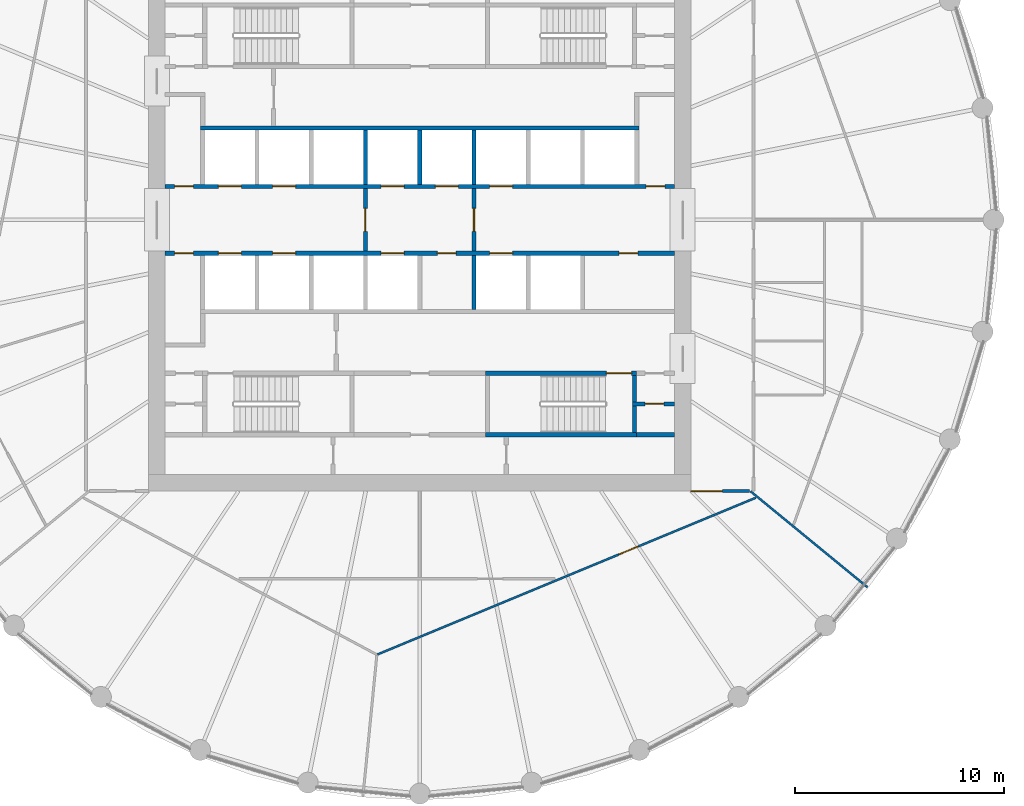
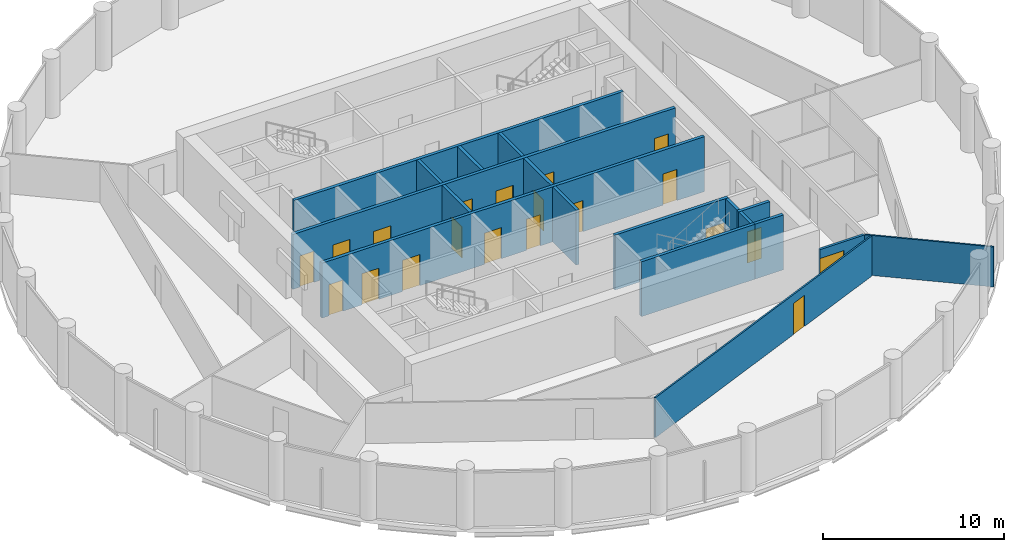
# One storey, part 5 of 8: 20 doors, 18 walls, 20 openings.
"""IFC4 building model written with IfcOpenShell, lengths in metres."""

from ifc_helpers import new_model, si_unit, direction, frame, frame_2d, origin, place, context, subcontext, project, spatial, polyline, rectangle, outline, extrude, material, layer, layer_set, type_object, element, fill, save


model = new_model("IFC4")

# Units and contexts
model_context = context("Model", 3, precision=1e-05, world=origin(), true_north=direction((0.0, 1.0)))
body_context = subcontext(model_context, "Body", "Model", "MODEL_VIEW")
ifc_project = project(units=[si_unit("LENGTHUNIT", "METRE"), si_unit("AREAUNIT", "SQUARE_METRE"), si_unit("VOLUMEUNIT", "CUBIC_METRE"), si_unit("PLANEANGLEUNIT", "RADIAN"), si_unit("MASSUNIT", "GRAM", prefix="KILO")], contexts=[model_context])

# Site, building, storey
site_placement = place(None, origin())
site = spatial("IfcSite", under=ifc_project, at=site_placement, CompositionType="ELEMENT")
building_placement = place(site_placement, origin())
building = spatial("IfcBuilding", under=site, at=building_placement, Name="Corvane Civic Tower", CompositionType="ELEMENT")
storey_placement = place(building_placement, frame((0.0, 0.0, 205.5)))
storey = spatial("IfcBuildingStorey", under=building, at=storey_placement, Name="L48", CompositionType="ELEMENT", Elevation=205.5)

# Wall, opening, door
ifc_material_1 = material(Name="Concrete C30/37", Category="concrete")
ifc_layer_1 = layer(ifc_material_1, 0.199951171875)
ifc_layer_set_1 = layer_set([ifc_layer_1], Name="Concrete C30/37")
wall_type_1 = type_object("IfcWallType", Name="CR-WALL-200", PredefinedType="PARTITIONING", material=ifc_layer_set_1)
wall_1_placement = place(storey_placement, frame((10.199951171875, -8.824951171875, 0.0), z_axis=(0.0, 0.0, 1.0), x_axis=(1.0, 0.0, 0.0)))
wall_1 = element("IfcWall", 1, at=wall_1_placement, inside=storey, type_object=wall_type_1, Name="L48 partition wall", PredefinedType="PARTITIONING", context=body_context, shape_type="SweptSolid", body=[
    extrude(rectangle(XDim=2.0, YDim=0.199951171875, at=frame_2d((1.0, 0.0))), origin(), (0.0, 0.0, 1.0), 3.699951171875),
])
opening_1_placement = place(wall_1_placement, frame((0.60009765625, 0.0, 0.0)))
opening_1 = element("IfcOpeningElement", 2, at=opening_1_placement, cuts=wall_1, Name="Opening L48.C21", PredefinedType="OPENING", context=body_context, shape_type="SweptSolid", body=[
    extrude(rectangle(XDim=0.89990234375, YDim=2.10009765625, at=frame_2d((0.449951171875, 1.050048828125))), frame((0.0, 0.10986328125, 0.0), z_axis=(0.0, -1.0, 0.0), x_axis=(1.0, 0.0, 0.0)), (0.0, 0.0, 1.0), 0.219970703125),
])
ifc_material_2 = material(Name="Steel fire door leaf", Category="steel")
door_type_1 = type_object("IfcDoorType", Name="CR-DOOR-900", OperationType="SINGLE_SWING_LEFT", PredefinedType="DOOR", material=ifc_material_2)
door_1_placement = place(opening_1_placement, origin())
door_1 = element("IfcDoor", 3, at=door_1_placement, inside=storey, type_object=door_type_1, Name="L48 door", OperationType="SINGLE_SWING_LEFT", OverallHeight=2.10009765625, OverallWidth=0.89990234375, PredefinedType="DOOR", context=body_context, shape_type="SweptSolid", body=[
    extrude(rectangle(XDim=0.89990234375, YDim=2.10009765625, at=frame_2d((0.449951171875, 1.050048828125))), frame((0.0, 0.02490234375, 0.0), z_axis=(0.0, -1.0, 0.0), x_axis=(1.0, 0.0, 0.0)), (0.0, 0.0, 1.0), 0.050048828125),
])
fill(opening_1, door_1)

# Wall, openings, doors
wall_2_placement = place(storey_placement, frame((-12.199951171875, -1.60009765625, 0.0), z_axis=(0.0, 0.0, 1.0), x_axis=(1.0, 0.0, 0.0)))
wall_2 = element("IfcWall", 4, at=wall_2_placement, inside=storey, type_object=wall_type_1, Name="L48 lift shaft wall", PredefinedType="PARTITIONING", context=body_context, shape_type="SweptSolid", body=[
    extrude(rectangle(XDim=24.39990234375, YDim=0.199951171875, at=frame_2d((12.199951171875, 0.0))), origin(), (0.0, 0.0, 1.0), 3.699951171875),
])
opening_2_placement = place(wall_2_placement, frame((2.550048828125, 0.0, 0.0)))
opening_2 = element("IfcOpeningElement", 5, at=opening_2_placement, cuts=wall_2, Name="Opening LD", PredefinedType="OPENING", context=body_context, shape_type="SweptSolid", body=[
    extrude(rectangle(XDim=1.10009765625, YDim=2.10009765625, at=frame_2d((0.550048828125, 1.050048828125))), frame((0.0, 0.10986328125, 0.0), z_axis=(0.0, -1.0, 0.0), x_axis=(1.0, 0.0, 0.0)), (0.0, 0.0, 1.0), 0.219970703125),
])
opening_3_placement = place(wall_2_placement, frame((5.14990234375, 0.0, 0.0)))
opening_3 = element("IfcOpeningElement", 6, at=opening_3_placement, cuts=wall_2, Name="Opening LD", PredefinedType="OPENING", context=body_context, shape_type="SweptSolid", body=[
    extrude(rectangle(XDim=1.10009765625, YDim=2.10009765625, at=frame_2d((0.550048828125, 1.050048828125))), frame((0.0, 0.10986328125, 0.0), z_axis=(0.0, -1.0, 0.0), x_axis=(1.0, 0.0, 0.0)), (0.0, 0.0, 1.0), 0.219970703125),
])
opening_4_placement = place(wall_2_placement, frame((10.35009765625, 0.0, 0.0)))
opening_4 = element("IfcOpeningElement", 7, at=opening_4_placement, cuts=wall_2, Name="Opening LD", PredefinedType="OPENING", context=body_context, shape_type="SweptSolid", body=[
    extrude(rectangle(XDim=1.10009765625, YDim=2.10009765625, at=frame_2d((0.550048828125, 1.050048828125))), frame((0.0, 0.10986328125, 0.0), z_axis=(0.0, -1.0, 0.0), x_axis=(1.0, 0.0, 0.0)), (0.0, 0.0, 1.0), 0.219970703125),
])
opening_5_placement = place(wall_2_placement, frame((13.050048828125, 0.0, 0.0)))
opening_5 = element("IfcOpeningElement", 8, at=opening_5_placement, cuts=wall_2, Name="Opening L48.C03", PredefinedType="OPENING", context=body_context, shape_type="SweptSolid", body=[
    extrude(rectangle(XDim=0.89990234375, YDim=2.10009765625, at=frame_2d((0.449951171875, 1.050048828125))), frame((0.0, 0.10986328125, 0.0), z_axis=(0.0, -1.0, 0.0), x_axis=(1.0, 0.0, 0.0)), (0.0, 0.0, 1.0), 0.219970703125),
])
opening_6_placement = place(wall_2_placement, frame((15.550048828125, 0.0, 0.0)))
opening_6 = element("IfcOpeningElement", 9, at=opening_6_placement, cuts=wall_2, Name="Opening LD", PredefinedType="OPENING", context=body_context, shape_type="SweptSolid", body=[
    extrude(rectangle(XDim=1.10009765625, YDim=2.10009765625, at=frame_2d((0.550048828125, 1.050048828125))), frame((0.0, 0.10986328125, 0.0), z_axis=(0.0, -1.0, 0.0), x_axis=(1.0, 0.0, 0.0)), (0.0, 0.0, 1.0), 0.219970703125),
])
opening_7_placement = place(wall_2_placement, frame((0.449951171875, 0.0, 0.0)))
opening_7 = element("IfcOpeningElement", 10, at=opening_7_placement, cuts=wall_2, Name="Opening L48.C04", PredefinedType="OPENING", context=body_context, shape_type="SweptSolid", body=[
    extrude(rectangle(XDim=0.89990234375, YDim=2.10009765625, at=frame_2d((0.449951171875, 1.050048828125))), frame((0.0, 0.10986328125, 0.0), z_axis=(0.0, -1.0, 0.0), x_axis=(1.0, 0.0, 0.0)), (0.0, 0.0, 1.0), 0.219970703125),
])
opening_8_placement = place(wall_2_placement, frame((21.75, 0.0, 0.0)))
opening_8 = element("IfcOpeningElement", 11, at=opening_8_placement, cuts=wall_2, Name="Opening L48.C05", PredefinedType="OPENING", context=body_context, shape_type="SweptSolid", body=[
    extrude(rectangle(XDim=0.89990234375, YDim=2.10009765625, at=frame_2d((0.449951171875, 1.050048828125))), frame((0.0, 0.10986328125, 0.0), z_axis=(0.0, -1.0, 0.0), x_axis=(1.0, 0.0, 0.0)), (0.0, 0.0, 1.0), 0.219970703125),
])
door_2_placement = place(opening_5_placement, origin())
door_2 = element("IfcDoor", 12, at=door_2_placement, inside=storey, type_object=door_type_1, Name="L48 door", OperationType="SINGLE_SWING_LEFT", OverallHeight=2.10009765625, OverallWidth=0.89990234375, PredefinedType="DOOR", context=body_context, shape_type="SweptSolid", body=[
    extrude(rectangle(XDim=0.89990234375, YDim=2.10009765625, at=frame_2d((0.449951171875, 1.050048828125))), frame((0.0, 0.02490234375, 0.0), z_axis=(0.0, -1.0, 0.0), x_axis=(1.0, 0.0, 0.0)), (0.0, 0.0, 1.0), 0.050048828125),
])
fill(opening_5, door_2)
door_3_placement = place(opening_7_placement, origin())
door_3 = element("IfcDoor", 13, at=door_3_placement, inside=storey, type_object=door_type_1, Name="L48 door", OperationType="SINGLE_SWING_LEFT", OverallHeight=2.10009765625, OverallWidth=0.89990234375, PredefinedType="DOOR", context=body_context, shape_type="SweptSolid", body=[
    extrude(rectangle(XDim=0.89990234375, YDim=2.10009765625, at=frame_2d((0.449951171875, 1.050048828125))), frame((0.0, 0.02490234375, 0.0), z_axis=(0.0, -1.0, 0.0), x_axis=(1.0, 0.0, 0.0)), (0.0, 0.0, 1.0), 0.050048828125),
])
fill(opening_7, door_3)
door_4_placement = place(opening_8_placement, origin())
door_4 = element("IfcDoor", 14, at=door_4_placement, inside=storey, type_object=door_type_1, Name="L48 door", OperationType="SINGLE_SWING_LEFT", OverallHeight=2.10009765625, OverallWidth=0.89990234375, PredefinedType="DOOR", context=body_context, shape_type="SweptSolid", body=[
    extrude(rectangle(XDim=0.89990234375, YDim=2.10009765625, at=frame_2d((0.449951171875, 1.050048828125))), frame((0.0, 0.02490234375, 0.0), z_axis=(0.0, -1.0, 0.0), x_axis=(1.0, 0.0, 0.0)), (0.0, 0.0, 1.0), 0.050048828125),
])
fill(opening_8, door_4)
ifc_material_3 = material(Name="Stainless steel 316 door leaves", Category="steel")
door_type_2 = type_object("IfcDoorType", Name="LD", OperationType="DOUBLE_DOOR_SLIDING", PredefinedType="DOOR", material=ifc_material_3)
door_5_placement = place(opening_2_placement, origin())
door_5 = element("IfcDoor", 15, at=door_5_placement, inside=storey, type_object=door_type_2, Name="L48 landing door", OperationType="DOUBLE_DOOR_SLIDING", OverallHeight=2.10009765625, OverallWidth=1.10009765625, PredefinedType="DOOR", context=body_context, shape_type="SweptSolid", body=[
    extrude(rectangle(XDim=1.10009765625, YDim=2.10009765625, at=frame_2d((0.550048828125, 1.050048828125))), frame((0.0, 0.02490234375, 0.0), z_axis=(0.0, -1.0, 0.0), x_axis=(1.0, 0.0, 0.0)), (0.0, 0.0, 1.0), 0.050048828125),
])
fill(opening_2, door_5)
door_6_placement = place(opening_3_placement, origin())
door_6 = element("IfcDoor", 16, at=door_6_placement, inside=storey, type_object=door_type_2, Name="L48 landing door", OperationType="DOUBLE_DOOR_SLIDING", OverallHeight=2.10009765625, OverallWidth=1.10009765625, PredefinedType="DOOR", context=body_context, shape_type="SweptSolid", body=[
    extrude(rectangle(XDim=1.10009765625, YDim=2.10009765625, at=frame_2d((0.550048828125, 1.050048828125))), frame((0.0, 0.02490234375, 0.0), z_axis=(0.0, -1.0, 0.0), x_axis=(1.0, 0.0, 0.0)), (0.0, 0.0, 1.0), 0.050048828125),
])
fill(opening_3, door_6)
door_7_placement = place(opening_4_placement, origin())
door_7 = element("IfcDoor", 17, at=door_7_placement, inside=storey, type_object=door_type_2, Name="L48 landing door", OperationType="DOUBLE_DOOR_SLIDING", OverallHeight=2.10009765625, OverallWidth=1.10009765625, PredefinedType="DOOR", context=body_context, shape_type="SweptSolid", body=[
    extrude(rectangle(XDim=1.10009765625, YDim=2.10009765625, at=frame_2d((0.550048828125, 1.050048828125))), frame((0.0, 0.02490234375, 0.0), z_axis=(0.0, -1.0, 0.0), x_axis=(1.0, 0.0, 0.0)), (0.0, 0.0, 1.0), 0.050048828125),
])
fill(opening_4, door_7)
door_8_placement = place(opening_6_placement, origin())
door_8 = element("IfcDoor", 18, at=door_8_placement, inside=storey, type_object=door_type_2, Name="L48 landing door", OperationType="DOUBLE_DOOR_SLIDING", OverallHeight=2.10009765625, OverallWidth=1.10009765625, PredefinedType="DOOR", context=body_context, shape_type="SweptSolid", body=[
    extrude(rectangle(XDim=1.10009765625, YDim=2.10009765625, at=frame_2d((0.550048828125, 1.050048828125))), frame((0.0, 0.02490234375, 0.0), z_axis=(0.0, -1.0, 0.0), x_axis=(1.0, 0.0, 0.0)), (0.0, 0.0, 1.0), 0.050048828125),
])
fill(opening_6, door_8)

wall_3_placement = place(storey_placement, frame((-12.199951171875, 1.60009765625, 0.0), z_axis=(0.0, 0.0, 1.0), x_axis=(1.0, 0.0, 0.0)))
wall_3 = element("IfcWall", 19, at=wall_3_placement, inside=storey, type_object=wall_type_1, Name="L48 lift shaft wall", PredefinedType="PARTITIONING", context=body_context, shape_type="SweptSolid", body=[
    extrude(rectangle(XDim=24.39990234375, YDim=0.199951171875, at=frame_2d((12.199951171875, 0.0))), origin(), (0.0, 0.0, 1.0), 3.699951171875),
])
opening_9_placement = place(wall_3_placement, frame((2.550048828125, 0.0, 0.0)))
opening_9 = element("IfcOpeningElement", 20, at=opening_9_placement, cuts=wall_3, Name="Opening LD", PredefinedType="OPENING", context=body_context, shape_type="SweptSolid", body=[
    extrude(rectangle(XDim=1.10009765625, YDim=2.10009765625, at=frame_2d((0.550048828125, 1.050048828125))), frame((0.0, 0.10986328125, 0.0), z_axis=(0.0, -1.0, 0.0), x_axis=(1.0, 0.0, 0.0)), (0.0, 0.0, 1.0), 0.219970703125),
])
opening_10_placement = place(wall_3_placement, frame((5.14990234375, 0.0, 0.0)))
opening_10 = element("IfcOpeningElement", 21, at=opening_10_placement, cuts=wall_3, Name="Opening LD", PredefinedType="OPENING", context=body_context, shape_type="SweptSolid", body=[
    extrude(rectangle(XDim=1.10009765625, YDim=2.10009765625, at=frame_2d((0.550048828125, 1.050048828125))), frame((0.0, 0.10986328125, 0.0), z_axis=(0.0, -1.0, 0.0), x_axis=(1.0, 0.0, 0.0)), (0.0, 0.0, 1.0), 0.219970703125),
])
opening_11_placement = place(wall_3_placement, frame((10.35009765625, 0.0, 0.0)))
opening_11 = element("IfcOpeningElement", 22, at=opening_11_placement, cuts=wall_3, Name="Opening LD", PredefinedType="OPENING", context=body_context, shape_type="SweptSolid", body=[
    extrude(rectangle(XDim=1.10009765625, YDim=2.10009765625, at=frame_2d((0.550048828125, 1.050048828125))), frame((0.0, 0.10986328125, 0.0), z_axis=(0.0, -1.0, 0.0), x_axis=(1.0, 0.0, 0.0)), (0.0, 0.0, 1.0), 0.219970703125),
])
opening_12_placement = place(wall_3_placement, frame((12.949951171875, 0.0, 0.0)))
opening_12 = element("IfcOpeningElement", 23, at=opening_12_placement, cuts=wall_3, Name="Opening LD", PredefinedType="OPENING", context=body_context, shape_type="SweptSolid", body=[
    extrude(rectangle(XDim=1.10009765625, YDim=2.10009765625, at=frame_2d((0.550048828125, 1.050048828125))), frame((0.0, 0.10986328125, 0.0), z_axis=(0.0, -1.0, 0.0), x_axis=(1.0, 0.0, 0.0)), (0.0, 0.0, 1.0), 0.219970703125),
])
opening_13_placement = place(wall_3_placement, frame((15.550048828125, 0.0, 0.0)))
opening_13 = element("IfcOpeningElement", 24, at=opening_13_placement, cuts=wall_3, Name="Opening LD", PredefinedType="OPENING", context=body_context, shape_type="SweptSolid", body=[
    extrude(rectangle(XDim=1.10009765625, YDim=2.10009765625, at=frame_2d((0.550048828125, 1.050048828125))), frame((0.0, 0.10986328125, 0.0), z_axis=(0.0, -1.0, 0.0), x_axis=(1.0, 0.0, 0.0)), (0.0, 0.0, 1.0), 0.219970703125),
])
opening_14_placement = place(wall_3_placement, frame((0.449951171875, 0.0, 0.0)))
opening_14 = element("IfcOpeningElement", 25, at=opening_14_placement, cuts=wall_3, Name="Opening L48.C01", PredefinedType="OPENING", context=body_context, shape_type="SweptSolid", body=[
    extrude(rectangle(XDim=0.89990234375, YDim=2.10009765625, at=frame_2d((0.449951171875, 1.050048828125))), frame((0.0, 0.10986328125, 0.0), z_axis=(0.0, -1.0, 0.0), x_axis=(1.0, 0.0, 0.0)), (0.0, 0.0, 1.0), 0.219970703125),
])
opening_15_placement = place(wall_3_placement, frame((23.050048828125, 0.0, 0.0)))
opening_15 = element("IfcOpeningElement", 26, at=opening_15_placement, cuts=wall_3, Name="Opening L48.C02", PredefinedType="OPENING", context=body_context, shape_type="SweptSolid", body=[
    extrude(rectangle(XDim=0.89990234375, YDim=2.10009765625, at=frame_2d((0.449951171875, 1.050048828125))), frame((0.0, 0.10986328125, 0.0), z_axis=(0.0, -1.0, 0.0), x_axis=(1.0, 0.0, 0.0)), (0.0, 0.0, 1.0), 0.219970703125),
])
door_9_placement = place(opening_14_placement, origin())
door_9 = element("IfcDoor", 27, at=door_9_placement, inside=storey, type_object=door_type_1, Name="L48 door", OperationType="SINGLE_SWING_LEFT", OverallHeight=2.10009765625, OverallWidth=0.89990234375, PredefinedType="DOOR", context=body_context, shape_type="SweptSolid", body=[
    extrude(rectangle(XDim=0.89990234375, YDim=2.10009765625, at=frame_2d((0.449951171875, 1.050048828125))), frame((0.0, 0.02490234375, 0.0), z_axis=(0.0, -1.0, 0.0), x_axis=(1.0, 0.0, 0.0)), (0.0, 0.0, 1.0), 0.050048828125),
])
fill(opening_14, door_9)
door_10_placement = place(opening_15_placement, origin())
door_10 = element("IfcDoor", 28, at=door_10_placement, inside=storey, type_object=door_type_1, Name="L48 door", OperationType="SINGLE_SWING_LEFT", OverallHeight=2.10009765625, OverallWidth=0.89990234375, PredefinedType="DOOR", context=body_context, shape_type="SweptSolid", body=[
    extrude(rectangle(XDim=0.89990234375, YDim=2.10009765625, at=frame_2d((0.449951171875, 1.050048828125))), frame((0.0, 0.02490234375, 0.0), z_axis=(0.0, -1.0, 0.0), x_axis=(1.0, 0.0, 0.0)), (0.0, 0.0, 1.0), 0.050048828125),
])
fill(opening_15, door_10)
door_11_placement = place(opening_9_placement, origin())
door_11 = element("IfcDoor", 29, at=door_11_placement, inside=storey, type_object=door_type_2, Name="L48 landing door", OperationType="DOUBLE_DOOR_SLIDING", OverallHeight=2.10009765625, OverallWidth=1.10009765625, PredefinedType="DOOR", context=body_context, shape_type="SweptSolid", body=[
    extrude(rectangle(XDim=1.10009765625, YDim=2.10009765625, at=frame_2d((0.550048828125, 1.050048828125))), frame((0.0, 0.02490234375, 0.0), z_axis=(0.0, -1.0, 0.0), x_axis=(1.0, 0.0, 0.0)), (0.0, 0.0, 1.0), 0.050048828125),
])
fill(opening_9, door_11)
door_12_placement = place(opening_10_placement, origin())
door_12 = element("IfcDoor", 30, at=door_12_placement, inside=storey, type_object=door_type_2, Name="L48 landing door", OperationType="DOUBLE_DOOR_SLIDING", OverallHeight=2.10009765625, OverallWidth=1.10009765625, PredefinedType="DOOR", context=body_context, shape_type="SweptSolid", body=[
    extrude(rectangle(XDim=1.10009765625, YDim=2.10009765625, at=frame_2d((0.550048828125, 1.050048828125))), frame((0.0, 0.02490234375, 0.0), z_axis=(0.0, -1.0, 0.0), x_axis=(1.0, 0.0, 0.0)), (0.0, 0.0, 1.0), 0.050048828125),
])
fill(opening_10, door_12)
door_13_placement = place(opening_11_placement, origin())
door_13 = element("IfcDoor", 31, at=door_13_placement, inside=storey, type_object=door_type_2, Name="L48 landing door", OperationType="DOUBLE_DOOR_SLIDING", OverallHeight=2.10009765625, OverallWidth=1.10009765625, PredefinedType="DOOR", context=body_context, shape_type="SweptSolid", body=[
    extrude(rectangle(XDim=1.10009765625, YDim=2.10009765625, at=frame_2d((0.550048828125, 1.050048828125))), frame((0.0, 0.02490234375, 0.0), z_axis=(0.0, -1.0, 0.0), x_axis=(1.0, 0.0, 0.0)), (0.0, 0.0, 1.0), 0.050048828125),
])
fill(opening_11, door_13)
door_14_placement = place(opening_12_placement, origin())
door_14 = element("IfcDoor", 32, at=door_14_placement, inside=storey, type_object=door_type_2, Name="L48 landing door", OperationType="DOUBLE_DOOR_SLIDING", OverallHeight=2.10009765625, OverallWidth=1.10009765625, PredefinedType="DOOR", context=body_context, shape_type="SweptSolid", body=[
    extrude(rectangle(XDim=1.10009765625, YDim=2.10009765625, at=frame_2d((0.550048828125, 1.050048828125))), frame((0.0, 0.02490234375, 0.0), z_axis=(0.0, -1.0, 0.0), x_axis=(1.0, 0.0, 0.0)), (0.0, 0.0, 1.0), 0.050048828125),
])
fill(opening_12, door_14)
door_15_placement = place(opening_13_placement, origin())
door_15 = element("IfcDoor", 33, at=door_15_placement, inside=storey, type_object=door_type_2, Name="L48 landing door", OperationType="DOUBLE_DOOR_SLIDING", OverallHeight=2.10009765625, OverallWidth=1.10009765625, PredefinedType="DOOR", context=body_context, shape_type="SweptSolid", body=[
    extrude(rectangle(XDim=1.10009765625, YDim=2.10009765625, at=frame_2d((0.550048828125, 1.050048828125))), frame((0.0, 0.02490234375, 0.0), z_axis=(0.0, -1.0, 0.0), x_axis=(1.0, 0.0, 0.0)), (0.0, 0.0, 1.0), 0.050048828125),
])
fill(opening_13, door_15)

# Wall, opening, door
wall_4_placement = place(storey_placement, frame((-2.60009765625, -1.5, 0.0), z_axis=(0.0, 0.0, 1.0), x_axis=(0.0, 1.0, 0.0)))
wall_4 = element("IfcWall", 34, at=wall_4_placement, inside=storey, type_object=wall_type_1, Name="L48 firefighting lobby wall", PredefinedType="PARTITIONING", context=body_context, shape_type="SweptSolid", body=[
    extrude(rectangle(XDim=3.0, YDim=0.199951171875, at=frame_2d((1.5, 0.0))), origin(), (0.0, 0.0, 1.0), 3.699951171875),
])
opening_16_placement = place(wall_4_placement, frame((0.949951171875, 0.0, 0.0)))
opening_16 = element("IfcOpeningElement", 35, at=opening_16_placement, cuts=wall_4, Name="Opening L48.C26", PredefinedType="OPENING", context=body_context, shape_type="SweptSolid", body=[
    extrude(rectangle(XDim=1.10009765625, YDim=2.10009765625, at=frame_2d((0.550048828125, 1.050048828125))), frame((0.0, 0.10986328125, 0.0), z_axis=(0.0, -1.0, 0.0), x_axis=(1.0, 0.0, 0.0)), (0.0, 0.0, 1.0), 0.219970703125),
])
ifc_material_4 = material(Name="Steel fire door leaf", Category="steel")
door_type_3 = type_object("IfcDoorType", Name="CR-DOOR-FFL-1100", OperationType="SINGLE_SWING_LEFT", PredefinedType="DOOR", material=ifc_material_4)
door_16_placement = place(opening_16_placement, origin())
door_16 = element("IfcDoor", 36, at=door_16_placement, inside=storey, type_object=door_type_3, Name="L48 lobby door", OperationType="SINGLE_SWING_LEFT", OverallHeight=2.10009765625, OverallWidth=1.10009765625, PredefinedType="DOOR", context=body_context, shape_type="SweptSolid", body=[
    extrude(rectangle(XDim=1.10009765625, YDim=2.10009765625, at=frame_2d((0.550048828125, 1.050048828125))), frame((0.0, 0.02490234375, 0.0), z_axis=(0.0, -1.0, 0.0), x_axis=(1.0, 0.0, 0.0)), (0.0, 0.0, 1.0), 0.050048828125),
])
fill(opening_16, door_16)

wall_5_placement = place(storey_placement, frame((2.60009765625, -1.5, 0.0), z_axis=(0.0, 0.0, 1.0), x_axis=(0.0, 1.0, 0.0)))
wall_5 = element("IfcWall", 37, at=wall_5_placement, inside=storey, type_object=wall_type_1, Name="L48 firefighting lobby wall", PredefinedType="PARTITIONING", context=body_context, shape_type="SweptSolid", body=[
    extrude(rectangle(XDim=3.0, YDim=0.199951171875, at=frame_2d((1.5, 0.0))), origin(), (0.0, 0.0, 1.0), 3.699951171875),
])
opening_17_placement = place(wall_5_placement, frame((0.949951171875, 0.0, 0.0)))
opening_17 = element("IfcOpeningElement", 38, at=opening_17_placement, cuts=wall_5, Name="Opening L48.C27", PredefinedType="OPENING", context=body_context, shape_type="SweptSolid", body=[
    extrude(rectangle(XDim=1.10009765625, YDim=2.10009765625, at=frame_2d((0.550048828125, 1.050048828125))), frame((0.0, 0.10986328125, 0.0), z_axis=(0.0, -1.0, 0.0), x_axis=(1.0, 0.0, 0.0)), (0.0, 0.0, 1.0), 0.219970703125),
])
door_17_placement = place(opening_17_placement, origin())
door_17 = element("IfcDoor", 39, at=door_17_placement, inside=storey, type_object=door_type_3, Name="L48 lobby door", OperationType="SINGLE_SWING_LEFT", OverallHeight=2.10009765625, OverallWidth=1.10009765625, PredefinedType="DOOR", context=body_context, shape_type="SweptSolid", body=[
    extrude(rectangle(XDim=1.10009765625, YDim=2.10009765625, at=frame_2d((0.550048828125, 1.050048828125))), frame((0.0, 0.02490234375, 0.0), z_axis=(0.0, -1.0, 0.0), x_axis=(1.0, 0.0, 0.0)), (0.0, 0.0, 1.0), 0.050048828125),
])
fill(opening_17, door_17)

# Walls
wall_6_placement = place(storey_placement, origin())
element("IfcWall", 40, at=wall_6_placement, inside=storey, type_object=wall_type_1, Name="L48 core partition wall", PredefinedType="PARTITIONING", context=body_context, shape_type="SweptSolid", body=[
    extrude(outline(polyline([(2.699951171875, -1.699951171875), (2.699951171875, -4.2998046875), (2.5, -4.2998046875), (2.5, -1.699951171875), (2.699951171875, -1.699951171875)])), origin(), (0.0, 0.0, 1.0), 3.699951171875),
])
wall_7_placement = place(storey_placement, origin())
element("IfcWall", 41, at=wall_7_placement, inside=storey, type_object=wall_type_1, Name="L48 core partition wall", PredefinedType="PARTITIONING", context=body_context, shape_type="SweptSolid", body=[
    extrude(outline(polyline([(10.5, 4.5), (10.5, 4.300048828125), (-10.5, 4.300048828125), (-10.5, 4.5), (10.5, 4.5)])), origin(), (0.0, 0.0, 1.0), 3.699951171875),
])
wall_8_placement = place(storey_placement, origin())
element("IfcWall", 42, at=wall_8_placement, inside=storey, type_object=wall_type_1, Name="L48 core partition wall", PredefinedType="PARTITIONING", context=body_context, shape_type="SweptSolid", body=[
    extrude(outline(polyline([(-2.5, 1.699951171875), (-2.699951171875, 1.699951171875), (-2.699951171875, 4.2998046875), (-2.5, 4.2998046875), (-2.5, 1.699951171875)])), origin(), (0.0, 0.0, 1.0), 3.699951171875),
])
wall_9_placement = place(storey_placement, origin())
element("IfcWall", 43, at=wall_9_placement, inside=storey, type_object=wall_type_1, Name="L48 core partition wall", PredefinedType="PARTITIONING", context=body_context, shape_type="SweptSolid", body=[
    extrude(outline(polyline([(2.699951171875, 1.699951171875), (2.5, 1.699951171875), (2.5, 4.2998046875), (2.699951171875, 4.2998046875), (2.699951171875, 1.699951171875)])), origin(), (0.0, 0.0, 1.0), 3.699951171875),
])
wall_10_placement = place(storey_placement, origin())
element("IfcWall", 44, at=wall_10_placement, inside=storey, type_object=wall_type_1, Name="L48 core partition wall", PredefinedType="PARTITIONING", context=body_context, shape_type="SweptSolid", body=[
    extrude(outline(polyline([(0.10009765625, 1.699951171875), (-0.10009765625, 1.699951171875), (-0.10009765625, 4.2998046875), (0.10009765625, 4.2998046875), (0.10009765625, 1.699951171875)])), origin(), (0.0, 0.0, 1.0), 3.699951171875),
])
wall_11_placement = place(storey_placement, origin())
element("IfcWall", 45, at=wall_11_placement, inside=storey, type_object=wall_type_1, Name="L48 core partition wall", PredefinedType="PARTITIONING", context=body_context, shape_type="SweptSolid", body=[
    extrude(outline(polyline([(12.199951171875, -10.39990234375), (10.39990234375, -10.39990234375), (10.39990234375, -10.199951171875), (12.199951171875, -10.199951171875), (12.199951171875, -10.39990234375)])), origin(), (0.0, 0.0, 1.0), 3.699951171875),
])

# Wall, opening, door
ifc_material_5 = material(Name="Plasterboard")
ifc_layer_2 = layer(ifc_material_5, 0.10009765625)
ifc_layer_set_2 = layer_set([ifc_layer_2], Name="Plasterboard")
wall_type_2 = type_object("IfcWallType", Name="Partition 100 plasterboard on studs", PredefinedType="PARTITIONING", material=ifc_layer_set_2)
wall_12_placement = place(storey_placement, frame((-2.02490234375, -20.82958984375, 0.0), z_axis=(0.0, 0.0, 1.0), x_axis=(0.923880713977, 0.382680580043, 0.0)))
wall_12 = element("IfcWall", 46, at=wall_12_placement, inside=storey, type_object=wall_type_2, Name="Partition L48.003", PredefinedType="PARTITIONING", context=body_context, shape_type="SweptSolid", body=[
    extrude(rectangle(XDim=19.63037109375, YDim=0.10009765625, at=frame_2d((9.815185546875, 0.0))), origin(), (0.0, 0.0, 1.0), 2.699951171875),
])
opening_18_placement = place(wall_12_placement, frame((12.520263671875, 0.0, 0.0)))
opening_18 = element("IfcOpeningElement", 47, at=opening_18_placement, cuts=wall_12, Name="Opening L48.002", PredefinedType="OPENING", context=body_context, shape_type="SweptSolid", body=[
    extrude(rectangle(XDim=1.0, YDim=2.10009765625, at=frame_2d((0.5, 1.050048828125))), frame((0.0, 0.06005859375, 0.0), z_axis=(0.0, -1.0, 0.0), x_axis=(1.0, 0.0, 0.0)), (0.0, 0.0, 1.0), 0.1201171875),
])
ifc_material_6 = material(Name="Timber", Category="wood")
door_type_4 = type_object("IfcDoorType", Name="Single door 1000", OperationType="NOTDEFINED", PredefinedType="DOOR", material=ifc_material_6)
door_18_placement = place(opening_18_placement, frame((1.0, 0.0, 0.0), z_axis=(0.0, 0.0, 1.0), x_axis=(-1.0, 0.0, 0.0)))
door_18 = element("IfcDoor", 48, at=door_18_placement, inside=storey, type_object=door_type_4, Name="Door L48.002", OperationType="SINGLE_SWING_LEFT", OverallHeight=2.10009765625, OverallWidth=1.0, PredefinedType="DOOR", context=body_context, shape_type="SweptSolid", body=[
    extrude(rectangle(XDim=1.0, YDim=2.10009765625, at=frame_2d((0.5, 1.050048828125))), frame((0.0, 0.02490234375, 0.0), z_axis=(0.0, -1.0, 0.0), x_axis=(1.0, 0.0, 0.0)), (0.0, 0.0, 1.0), 0.050048828125),
])
fill(opening_18, door_18)

# Wall
wall_13_placement = place(storey_placement, frame((15.8544921875, -13.01123046875, 0.0), z_axis=(0.0, 0.0, 1.0), x_axis=(0.772997895748, -0.634408585352, 0.0)))
element("IfcWall", 49, at=wall_13_placement, inside=storey, type_object=wall_type_2, Name="Partition L48.005", PredefinedType="PARTITIONING", context=body_context, shape_type="SweptSolid", body=[
    extrude(rectangle(XDim=7.240234375, YDim=0.10009765625, at=frame_2d((3.6201171875, 0.0))), origin(), (0.0, 0.0, 1.0), 2.699951171875),
])

# Wall, opening, door
ifc_material_7 = material(Name="Concrete C50/60", Category="concrete")
ifc_layer_3 = layer(ifc_material_7, 0.199951171875)
ifc_layer_set_3 = layer_set([ifc_layer_3], Name="Concrete C50/60")
wall_type_3 = type_object("IfcWallType", Name="ST-WALL-200", PredefinedType="SHEAR", material=ifc_layer_set_3)
wall_14_placement = place(storey_placement, frame((3.14990234375, -7.35009765625, 0.0), z_axis=(0.0, 0.0, 1.0), x_axis=(1.0, 0.0, 0.0)))
wall_14 = element("IfcWall", 50, at=wall_14_placement, inside=storey, type_object=wall_type_3, Name="L48 stair enclosure wall", PredefinedType="SHEAR", context=body_context, shape_type="SweptSolid", body=[
    extrude(rectangle(XDim=7.25, YDim=0.199951171875, at=frame_2d((3.625, 0.0))), origin(), (0.0, 0.0, 1.0), 3.699951171875),
])
opening_19_placement = place(wall_14_placement, frame((5.800048828125, 0.0, 0.0)))
opening_19 = element("IfcOpeningElement", 51, at=opening_19_placement, cuts=wall_14, Name="Opening L48.C24", PredefinedType="OPENING", context=body_context, shape_type="SweptSolid", body=[
    extrude(rectangle(XDim=1.199951171875, YDim=2.10009765625, at=frame_2d((0.60009765625, 1.050048828125))), frame((0.0, 0.10986328125, 0.0), z_axis=(0.0, -1.0, 0.0), x_axis=(1.0, 0.0, 0.0)), (0.0, 0.0, 1.0), 0.219970703125),
])
ifc_material_8 = material(Name="Steel fire door leaf", Category="steel")
door_type_5 = type_object("IfcDoorType", Name="ST-DOOR-1200", OperationType="SINGLE_SWING_RIGHT", PredefinedType="DOOR", material=ifc_material_8)
door_19_placement = place(opening_19_placement, origin())
door_19 = element("IfcDoor", 52, at=door_19_placement, inside=storey, type_object=door_type_5, Name="L48 stair door", OperationType="SINGLE_SWING_RIGHT", OverallHeight=2.10009765625, OverallWidth=1.199951171875, PredefinedType="DOOR", context=body_context, shape_type="SweptSolid", body=[
    extrude(rectangle(XDim=1.199951171875, YDim=2.10009765625, at=frame_2d((0.60009765625, 1.050048828125))), frame((0.0, 0.02490234375, 0.0), z_axis=(0.0, -1.0, 0.0), x_axis=(1.0, 0.0, 0.0)), (0.0, 0.0, 1.0), 0.050048828125),
])
fill(opening_19, door_19)

# Walls
wall_15_placement = place(storey_placement, origin())
element("IfcWall", 53, at=wall_15_placement, inside=storey, type_object=wall_type_3, Name="L48 stair enclosure wall", PredefinedType="SHEAR", context=body_context, shape_type="SweptSolid", body=[
    extrude(outline(polyline([(10.39990234375, -10.39990234375), (3.14990234375, -10.39990234375), (3.14990234375, -10.199951171875), (10.39990234375, -10.199951171875), (10.39990234375, -10.39990234375)])), origin(), (0.0, 0.0, 1.0), 3.699951171875),
])
wall_16_placement = place(storey_placement, origin())
element("IfcWall", 54, at=wall_16_placement, inside=storey, type_object=wall_type_3, Name="L48 stair enclosure wall", PredefinedType="SHEAR", context=body_context, shape_type="SweptSolid", body=[
    extrude(outline(polyline([(10.39990234375, -7.449951171875), (10.39990234375, -8.72509765625), (10.199951171875, -8.72509765625), (10.199951171875, -7.449951171875), (10.39990234375, -7.449951171875)])), origin(), (0.0, 0.0, 1.0), 3.699951171875),
])
wall_17_placement = place(storey_placement, origin())
element("IfcWall", 55, at=wall_17_placement, inside=storey, type_object=wall_type_3, Name="L48 stair enclosure wall", PredefinedType="SHEAR", context=body_context, shape_type="SweptSolid", body=[
    extrude(outline(polyline([(10.39990234375, -8.925048828125), (10.39990234375, -10.199951171875), (10.199951171875, -10.199951171875), (10.199951171875, -8.925048828125), (10.39990234375, -8.925048828125)])), origin(), (0.0, 0.0, 1.0), 3.699951171875),
])

# Wall, opening, door
ifc_material_9 = material(Name="Plasterboard")
ifc_layer_4 = layer(ifc_material_9, 0.14990234375)
ifc_layer_set_4 = layer_set([ifc_layer_4], Name="Plasterboard")
wall_type_4 = type_object("IfcWallType", Name="Tenancy wall 150 EI 60", PredefinedType="PARTITIONING", material=ifc_layer_set_4)
wall_18_placement = place(storey_placement, frame((12.989990234375, -13.0, 0.0), z_axis=(0.0, 0.0, 1.0), x_axis=(1.0, 0.0, 0.0)))
wall_18 = element("IfcWall", 56, at=wall_18_placement, inside=storey, type_object=wall_type_4, Name="Partition L48.012", PredefinedType="PARTITIONING", context=body_context, shape_type="SweptSolid", body=[
    extrude(rectangle(XDim=2.82373046875, YDim=0.14990234375, at=frame_2d((1.411865234375, 0.0))), origin(), (0.0, 0.0, 1.0), 2.699951171875),
])
opening_20_placement = place(wall_18_placement, frame((0.010009765625, 0.0, 0.0)))
opening_20 = element("IfcOpeningElement", 57, at=opening_20_placement, cuts=wall_18, Name="Opening L48.005", PredefinedType="OPENING", context=body_context, shape_type="SweptSolid", body=[
    extrude(rectangle(XDim=1.5, YDim=2.10009765625, at=frame_2d((0.75, 1.050048828125))), frame((0.0, 0.0849609375, 0.0), z_axis=(0.0, -1.0, 0.0), x_axis=(1.0, 0.0, 0.0)), (0.0, 0.0, 1.0), 0.169921875),
])
ifc_material_10 = material(Name="Steel and timber", Category="steel")
door_type_6 = type_object("IfcDoorType", Name="Fire door FD60 double 1500", OperationType="NOTDEFINED", PredefinedType="DOOR", material=ifc_material_10)
door_20_placement = place(opening_20_placement, frame((1.5, 0.0, 0.0), z_axis=(0.0, 0.0, 1.0), x_axis=(-1.0, 0.0, 0.0)))
door_20 = element("IfcDoor", 58, at=door_20_placement, inside=storey, type_object=door_type_6, Name="Door L48.005", OperationType="DOUBLE_DOOR_SINGLE_SWING", OverallHeight=2.10009765625, OverallWidth=1.5, PredefinedType="DOOR", context=body_context, shape_type="SweptSolid", body=[
    extrude(rectangle(XDim=1.5, YDim=2.10009765625, at=frame_2d((0.75, 1.050048828125))), frame((0.0, 0.02490234375, 0.0), z_axis=(0.0, -1.0, 0.0), x_axis=(1.0, 0.0, 0.0)), (0.0, 0.0, 1.0), 0.050048828125),
])
fill(opening_20, door_20)

save(model, "model.ifc")
